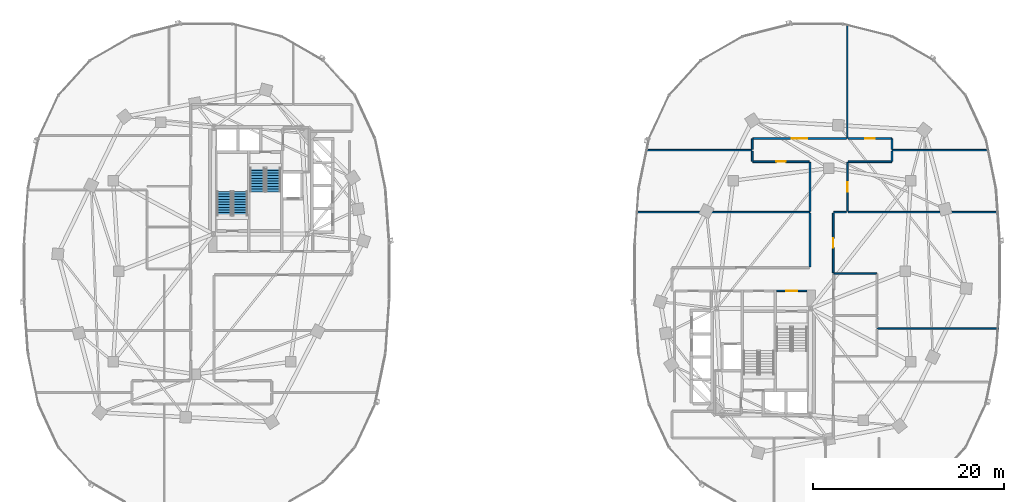
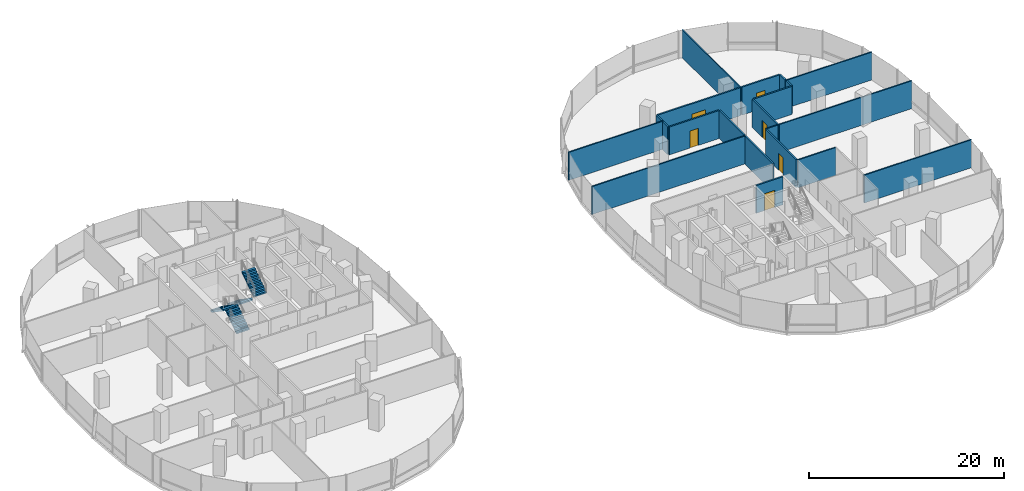
# One storey, part 14 of 22: 21 walls, 6 doors, 4 stair flights, 6 openings, 2 elements without a shape of their own.
"""IFC4 building model written with IfcOpenShell, lengths in metres."""

from ifc_helpers import new_model, si_unit, direction, frame, frame_2d, origin, place, context, subcontext, project, spatial, polyline, rectangle, outline, extrude, material, layer, layer_set, type_object, element, fill, aggregate, save


model = new_model("IFC4")

# Units and contexts
model_context = context("Model", 3, precision=1e-05, world=origin(), true_north=direction((0.0, 1.0)))
body_context = subcontext(model_context, "Body", "Model", "MODEL_VIEW")
ifc_project = project(units=[si_unit("LENGTHUNIT", "METRE"), si_unit("AREAUNIT", "SQUARE_METRE"), si_unit("VOLUMEUNIT", "CUBIC_METRE"), si_unit("PLANEANGLEUNIT", "RADIAN"), si_unit("MASSUNIT", "GRAM", prefix="KILO"), si_unit("THERMODYNAMICTEMPERATUREUNIT", "KELVIN"), si_unit("POWERUNIT", "WATT")], contexts=[model_context])

# Site, building, storey
site_placement = place(None, origin())
site = spatial("IfcSite", under=ifc_project, at=site_placement, CompositionType="ELEMENT")
building_placement = place(site_placement, origin())
building = spatial("IfcBuilding", under=site, at=building_placement, Name="Cundina Bronze Exchange", CompositionType="ELEMENT")
storey_placement = place(building_placement, frame((0.0, 0.0, 39.199951171875)))
storey = spatial("IfcBuildingStorey", under=building, at=storey_placement, Name="L09", CompositionType="ELEMENT", Elevation=39.199951171875)

# Wall, opening, door
ifc_material_1 = material(Name="Gypsum Fireboard Partition EI120")
ifc_layer_1 = layer(ifc_material_1, 0.179931640625, Name="Gypsum Fireboard Partition EI120")
ifc_layer_set_1 = layer_set([ifc_layer_1], Name="Gypsum Fireboard Partition EI120")
wall_type_1 = type_object("IfcWallType", Name="WL-COR-180", PredefinedType="PARTITIONING", material=ifc_layer_set_1)
wall_1_placement = place(storey_placement, frame((27.739990234375, -2.06005859375, 0.0), z_axis=(0.0, 0.0, 1.0), x_axis=(1.0, 0.0, 0.0)))
wall_1 = element("IfcWall", 1, at=wall_1_placement, inside=storey, type_object=wall_type_1, Name="L09 E Stair Vestibule Exit Wall", PredefinedType="PARTITIONING", context=body_context, shape_type="SweptSolid", body=[
    extrude(rectangle(XDim=3.159912109375, YDim=0.179931640625, at=frame_2d((1.580078125, 0.0))), origin(), (0.0, 0.0, 1.0), 3.5),
])
opening_1_placement = place(wall_1_placement, frame((0.97998046875, 0.0, 0.0)))
opening_1 = element("IfcOpeningElement", 2, at=opening_1_placement, cuts=wall_1, Name="Opening DF-01", PredefinedType="OPENING", context=body_context, shape_type="SweptSolid", body=[
    extrude(rectangle(XDim=1.199951171875, YDim=2.14990234375, at=frame_2d((0.60009765625, 1.074951171875))), frame((0.0, 0.099853515625, 0.0), z_axis=(0.0, -1.0, 0.0), x_axis=(1.0, 0.0, 0.0)), (0.0, 0.0, 1.0), 0.199951171875),
])
ifc_material_2 = material(Name="Steel ASTM A36 Painted", Category="steel")
door_type_1 = type_object("IfcDoorType", Name="DR-FFL-1200", OperationType="NOTDEFINED", PredefinedType="DOOR", material=ifc_material_2)
door_1_placement = place(opening_1_placement, origin())
door_1 = element("IfcDoor", 3, at=door_1_placement, inside=storey, type_object=door_type_1, Name="L09 E Stair Vestibule Door", OperationType="SINGLE_SWING_RIGHT", OverallHeight=2.14990234375, OverallWidth=1.199951171875, PredefinedType="DOOR", context=body_context, shape_type="SweptSolid", body=[
    extrude(rectangle(XDim=1.199951171875, YDim=2.14990234375, at=frame_2d((0.60009765625, 1.074951171875))), frame((0.0, 0.02490234375, 0.0), z_axis=(0.0, -1.0, 0.0), x_axis=(1.0, 0.0, 0.0)), (0.0, 0.0, 1.0), 0.050048828125),
])
fill(opening_1, door_1)

# Wall
wall_2_placement = place(storey_placement, frame((31.22998046875, 6.10009765625, 0.0), z_axis=(0.0, 0.0, 1.0), x_axis=(0.0, -1.0, 0.0)))
element("IfcWall", 4, at=wall_2_placement, inside=storey, type_object=wall_type_1, Name="L09 Interior Partition 082", PredefinedType="PARTITIONING", context=body_context, shape_type="SweptSolid", body=[
    extrude(rectangle(XDim=5.650146484375, YDim=0.179931640625, at=frame_2d((2.8251953125, 0.0))), origin(), (0.0, 0.0, 1.0), 3.5),
])

# Wall, opening, door
wall_3_placement = place(storey_placement, frame((33.669921875, -0.15869140625, 0.0), z_axis=(0.0, 0.0, 1.0), x_axis=(0.0, 1.0, 0.0)))
wall_3 = element("IfcWall", 5, at=wall_3_placement, inside=storey, type_object=wall_type_1, Name="L09 Interior Partition 086", PredefinedType="PARTITIONING", context=body_context, shape_type="SweptSolid", body=[
    extrude(rectangle(XDim=6.2587890625, YDim=0.179931640625, at=frame_2d((3.12939453125, 0.0))), origin(), (0.0, 0.0, 1.0), 3.5),
])
opening_2_placement = place(wall_3_placement, frame((2.62939453125, 0.0, 0.0)))
opening_2 = element("IfcOpeningElement", 6, at=opening_2_placement, cuts=wall_3, Name="Opening DO-01", PredefinedType="OPENING", context=body_context, shape_type="SweptSolid", body=[
    extrude(rectangle(XDim=1.0, YDim=2.14990234375, at=frame_2d((0.5, 1.074951171875))), frame((0.0, 0.099853515625, 0.0), z_axis=(0.0, -1.0, 0.0), x_axis=(1.0, 0.0, 0.0)), (0.0, 0.0, 1.0), 0.199951171875),
])
ifc_material_3 = material(Name="Solid Andean Oak Timber Grade A", Category="wood")
door_type_2 = type_object("IfcDoorType", Name="DR-OFF-1000", OperationType="NOTDEFINED", PredefinedType="DOOR", material=ifc_material_3)
door_2_placement = place(opening_2_placement, origin())
door_2 = element("IfcDoor", 7, at=door_2_placement, inside=storey, type_object=door_type_2, Name="L09 Interior Door 086", OperationType="SINGLE_SWING_LEFT", OverallHeight=2.14990234375, OverallWidth=1.0, PredefinedType="DOOR", context=body_context, shape_type="SweptSolid", body=[
    extrude(rectangle(XDim=1.0, YDim=2.14990234375, at=frame_2d((0.5, 1.074951171875))), frame((0.0, 0.02490234375, 0.0), z_axis=(0.0, -1.0, 0.0), x_axis=(1.0, 0.0, 0.0)), (0.0, 0.0, 1.0), 0.050048828125),
])
fill(opening_2, door_2)

wall_4_placement = place(storey_placement, frame((25.221435546875, 11.47998046875, 0.0), z_axis=(0.0, 0.0, 1.0), x_axis=(1.0, 0.0, 0.0)))
wall_4 = element("IfcWall", 8, at=wall_4_placement, inside=storey, type_object=wall_type_1, Name="L09 Interior Partition 087", PredefinedType="PARTITIONING", context=body_context, shape_type="SweptSolid", body=[
    extrude(rectangle(XDim=5.928466796875, YDim=0.179931640625, at=frame_2d((2.96435546875, 0.0))), origin(), (0.0, 0.0, 1.0), 3.5),
])
opening_3_placement = place(wall_4_placement, frame((2.464111328125, 0.0, 0.0)))
opening_3 = element("IfcOpeningElement", 9, at=opening_3_placement, cuts=wall_4, Name="Opening DO-01", PredefinedType="OPENING", context=body_context, shape_type="SweptSolid", body=[
    extrude(rectangle(XDim=1.0, YDim=2.14990234375, at=frame_2d((0.5, 1.074951171875))), frame((0.0, 0.099853515625, 0.0), z_axis=(0.0, -1.0, 0.0), x_axis=(1.0, 0.0, 0.0)), (0.0, 0.0, 1.0), 0.199951171875),
])
door_3_placement = place(opening_3_placement, origin())
door_3 = element("IfcDoor", 10, at=door_3_placement, inside=storey, type_object=door_type_2, Name="L09 Interior Door 087", OperationType="SINGLE_SWING_LEFT", OverallHeight=2.14990234375, OverallWidth=1.0, PredefinedType="DOOR", context=body_context, shape_type="SweptSolid", body=[
    extrude(rectangle(XDim=1.0, YDim=2.14990234375, at=frame_2d((0.5, 1.074951171875))), frame((0.0, 0.02490234375, 0.0), z_axis=(0.0, -1.0, 0.0), x_axis=(1.0, 0.0, 0.0)), (0.0, 0.0, 1.0), 0.050048828125),
])
fill(opening_3, door_3)

# Walls
wall_5_placement = place(storey_placement, frame((31.22998046875, 11.39990234375, 0.0), z_axis=(0.0, 0.0, 1.0), x_axis=(0.0, -1.0, 0.0)))
element("IfcWall", 11, at=wall_5_placement, inside=storey, type_object=wall_type_1, Name="L09 Interior Partition 088", PredefinedType="PARTITIONING", context=body_context, shape_type="SweptSolid", body=[
    extrude(rectangle(XDim=5.119873046875, YDim=0.179931640625, at=frame_2d((2.56005859375, 0.0))), origin(), (0.0, 0.0, 1.0), 3.5),
])
wall_6_placement = place(storey_placement, frame((25.179931640625, 12.60009765625, 0.0), z_axis=(0.0, 0.0, 1.0), x_axis=(0.0, -1.0, 0.0)))
element("IfcWall", 12, at=wall_6_placement, inside=storey, type_object=wall_type_1, Name="L09 Interior Partition 089", PredefinedType="PARTITIONING", context=body_context, shape_type="SweptSolid", body=[
    extrude(rectangle(XDim=1.07861328125, YDim=0.179931640625, at=frame_2d((0.539306640625, 0.0))), origin(), (0.0, 0.0, 1.0), 3.5),
])

# Wall, opening, door
wall_7_placement = place(storey_placement, frame((35.14990234375, 6.280029296875, 0.0), z_axis=(0.0, 0.0, 1.0), x_axis=(0.0, 1.0, 0.0)))
wall_7 = element("IfcWall", 13, at=wall_7_placement, inside=storey, type_object=wall_type_1, Name="L09 Interior Partition 090", PredefinedType="PARTITIONING", context=body_context, shape_type="SweptSolid", body=[
    extrude(rectangle(XDim=5.119873046875, YDim=0.179931640625, at=frame_2d((2.56005859375, 0.0))), origin(), (0.0, 0.0, 1.0), 3.5),
])
opening_4_placement = place(wall_7_placement, frame((2.06005859375, 0.0, 0.0)))
opening_4 = element("IfcOpeningElement", 14, at=opening_4_placement, cuts=wall_7, Name="Opening DO-01", PredefinedType="OPENING", context=body_context, shape_type="SweptSolid", body=[
    extrude(rectangle(XDim=1.0, YDim=2.14990234375, at=frame_2d((0.5, 1.074951171875))), frame((0.0, 0.099853515625, 0.0), z_axis=(0.0, -1.0, 0.0), x_axis=(1.0, 0.0, 0.0)), (0.0, 0.0, 1.0), 0.199951171875),
])
door_4_placement = place(opening_4_placement, origin())
door_4 = element("IfcDoor", 15, at=door_4_placement, inside=storey, type_object=door_type_2, Name="L09 Interior Door 090", OperationType="SINGLE_SWING_LEFT", OverallHeight=2.14990234375, OverallWidth=1.0, PredefinedType="DOOR", context=body_context, shape_type="SweptSolid", body=[
    extrude(rectangle(XDim=1.0, YDim=2.14990234375, at=frame_2d((0.5, 1.074951171875))), frame((0.0, 0.02490234375, 0.0), z_axis=(0.0, -1.0, 0.0), x_axis=(1.0, 0.0, 0.0)), (0.0, 0.0, 1.0), 0.050048828125),
])
fill(opening_4, door_4)

# Walls
wall_8_placement = place(storey_placement, frame((35.22998046875, 11.47998046875, 0.0), z_axis=(0.0, 0.0, 1.0), x_axis=(1.0, 0.0, 0.0)))
element("IfcWall", 16, at=wall_8_placement, inside=storey, type_object=wall_type_1, Name="L09 Interior Partition 091", PredefinedType="PARTITIONING", context=body_context, shape_type="SweptSolid", body=[
    extrude(rectangle(XDim=4.548583984375, YDim=0.179931640625, at=frame_2d((2.2744140625, 0.0))), origin(), (0.0, 0.0, 1.0), 3.5),
])
wall_9_placement = place(storey_placement, frame((39.820068359375, 11.521484375, 0.0), z_axis=(0.0, 0.0, 1.0), x_axis=(0.0, 1.0, 0.0)))
element("IfcWall", 17, at=wall_9_placement, inside=storey, type_object=wall_type_1, Name="L09 Interior Partition 092", PredefinedType="PARTITIONING", context=body_context, shape_type="SweptSolid", body=[
    extrude(rectangle(XDim=1.07861328125, YDim=0.179931640625, at=frame_2d((0.539306640625, 0.0))), origin(), (0.0, 0.0, 1.0), 3.5),
])

# Wall, opening, door
wall_10_placement = place(storey_placement, frame((39.778564453125, 13.919921875, 0.0), z_axis=(0.0, 0.0, 1.0), x_axis=(-1.0, 0.0, 0.0)))
wall_10 = element("IfcWall", 18, at=wall_10_placement, inside=storey, type_object=wall_type_1, Name="L09 Interior Partition 093", PredefinedType="PARTITIONING", context=body_context, shape_type="SweptSolid", body=[
    extrude(rectangle(XDim=4.548583984375, YDim=0.179931640625, at=frame_2d((2.2744140625, 0.0))), origin(), (0.0, 0.0, 1.0), 3.5),
])
opening_5_placement = place(wall_10_placement, frame((1.7744140625, 0.0, 0.0)))
opening_5 = element("IfcOpeningElement", 19, at=opening_5_placement, cuts=wall_10, Name="Opening DO-01", PredefinedType="OPENING", context=body_context, shape_type="SweptSolid", body=[
    extrude(rectangle(XDim=1.0, YDim=2.14990234375, at=frame_2d((0.5, 1.074951171875))), frame((0.0, 0.099853515625, 0.0), z_axis=(0.0, -1.0, 0.0), x_axis=(1.0, 0.0, 0.0)), (0.0, 0.0, 1.0), 0.199951171875),
])
door_5_placement = place(opening_5_placement, origin())
door_5 = element("IfcDoor", 20, at=door_5_placement, inside=storey, type_object=door_type_2, Name="L09 Interior Door 093", OperationType="SINGLE_SWING_LEFT", OverallHeight=2.14990234375, OverallWidth=1.0, PredefinedType="DOOR", context=body_context, shape_type="SweptSolid", body=[
    extrude(rectangle(XDim=1.0, YDim=2.14990234375, at=frame_2d((0.5, 1.074951171875))), frame((0.0, 0.02490234375, 0.0), z_axis=(0.0, -1.0, 0.0), x_axis=(1.0, 0.0, 0.0)), (0.0, 0.0, 1.0), 0.050048828125),
])
fill(opening_5, door_5)

# Wall
wall_11_placement = place(storey_placement, frame((39.820068359375, 12.780029296875, 0.0), z_axis=(0.0, 0.0, 1.0), x_axis=(0.0, 1.0, 0.0)))
element("IfcWall", 21, at=wall_11_placement, inside=storey, type_object=wall_type_1, Name="L09 Interior Partition 094", PredefinedType="PARTITIONING", context=body_context, shape_type="SweptSolid", body=[
    extrude(rectangle(XDim=1.098388671875, YDim=0.179931640625, at=frame_2d((0.54931640625, 0.0))), origin(), (0.0, 0.0, 1.0), 3.5),
])

# Wall, opening, door
wall_12_placement = place(storey_placement, frame((35.050048828125, 13.919921875, 0.0), z_axis=(0.0, 0.0, 1.0), x_axis=(-1.0, 0.0, 0.0)))
wall_12 = element("IfcWall", 22, at=wall_12_placement, inside=storey, type_object=wall_type_1, Name="L09 Interior Partition 095", PredefinedType="PARTITIONING", context=body_context, shape_type="SweptSolid", body=[
    extrude(rectangle(XDim=9.82861328125, YDim=0.179931640625, at=frame_2d((4.914306640625, 0.0))), origin(), (0.0, 0.0, 1.0), 3.5),
])
opening_6_placement = place(wall_12_placement, frame((4.1142578125, 0.0, 0.0)))
opening_6 = element("IfcOpeningElement", 23, at=opening_6_placement, cuts=wall_12, Name="Opening DO-02", PredefinedType="OPENING", context=body_context, shape_type="SweptSolid", body=[
    extrude(rectangle(XDim=1.60009765625, YDim=2.199951171875, at=frame_2d((0.800048828125, 1.10009765625))), frame((0.0, 0.099853515625, 0.0), z_axis=(0.0, -1.0, 0.0), x_axis=(1.0, 0.0, 0.0)), (0.0, 0.0, 1.0), 0.199951171875),
])
door_type_3 = type_object("IfcDoorType", Name="DR-TRD-1600", OperationType="NOTDEFINED", PredefinedType="DOOR", material=ifc_material_3)
door_6_placement = place(opening_6_placement, origin())
door_6 = element("IfcDoor", 24, at=door_6_placement, inside=storey, type_object=door_type_3, Name="L09 Interior Door 095", OperationType="SINGLE_SWING_LEFT", OverallHeight=2.199951171875, OverallWidth=1.60009765625, PredefinedType="DOOR", context=body_context, shape_type="SweptSolid", body=[
    extrude(rectangle(XDim=1.60009765625, YDim=2.199951171875, at=frame_2d((0.800048828125, 1.10009765625))), frame((0.0, 0.02490234375, 0.0), z_axis=(0.0, -1.0, 0.0), x_axis=(1.0, 0.0, 0.0)), (0.0, 0.0, 1.0), 0.050048828125),
])
fill(opening_6, door_6)

# Walls
wall_13_placement = place(storey_placement, frame((25.179931640625, 13.87841796875, 0.0), z_axis=(0.0, 0.0, 1.0), x_axis=(0.0, -1.0, 0.0)))
element("IfcWall", 25, at=wall_13_placement, inside=storey, type_object=wall_type_1, Name="L09 Interior Partition 096", PredefinedType="PARTITIONING", context=body_context, shape_type="SweptSolid", body=[
    extrude(rectangle(XDim=1.098388671875, YDim=0.179931640625, at=frame_2d((0.54931640625, 0.0))), origin(), (0.0, 0.0, 1.0), 3.5),
])
ifc_material_4 = material(Name="Gypsum Acoustic Partition EI60")
ifc_layer_2 = layer(ifc_material_4, 0.125, Name="Gypsum Acoustic Partition EI60")
ifc_layer_set_2 = layer_set([ifc_layer_2], Name="Gypsum Acoustic Partition EI60")
wall_type_2 = type_object("IfcWallType", Name="WL-OFF-125", PredefinedType="PARTITIONING", material=ifc_layer_set_2)
wall_14_placement = place(storey_placement, frame((35.139892578125, 13.949951171875, 0.0), z_axis=(0.0, 0.0, 1.0), x_axis=(0.0, 1.0, 0.0)))
element("IfcWall", 26, at=wall_14_placement, inside=storey, type_object=wall_type_2, Name="L09 Interior Partition 065", PredefinedType="PARTITIONING", context=body_context, shape_type="SweptSolid", body=[
    extrude(rectangle(XDim=11.924560546875, YDim=0.125, at=frame_2d((5.96240234375, 0.0))), origin(), (0.0, 0.0, 1.0), 3.5),
])
ifc_layer_3 = layer(ifc_material_4, 0.14990234375, Name="Gypsum Acoustic Partition EI60")
ifc_layer_set_3 = layer_set([ifc_layer_3], Name="Gypsum Acoustic Partition EI60")
wall_type_3 = type_object("IfcWallType", Name="WL-TEN-150", PredefinedType="PARTITIONING", material=ifc_layer_set_3)
wall_15_placement = place(storey_placement, frame((13.021484375, 6.18994140625, 0.0), z_axis=(0.0, 0.0, 1.0), x_axis=(1.0, 0.0, 0.0)))
element("IfcWall", 27, at=wall_15_placement, inside=storey, type_object=wall_type_3, Name="L09 Interior Partition 066", PredefinedType="PARTITIONING", context=body_context, shape_type="SweptSolid", body=[
    extrude(rectangle(XDim=18.178466796875, YDim=0.14990234375, at=frame_2d((9.08935546875, 0.0))), origin(), (0.0, 0.0, 1.0), 3.5),
])
wall_16_placement = place(storey_placement, frame((33.699951171875, 6.18994140625, 0.0), z_axis=(0.0, 0.0, 1.0), x_axis=(1.0, 0.0, 0.0)))
element("IfcWall", 28, at=wall_16_placement, inside=storey, type_object=wall_type_3, Name="L09 Interior Partition 067", PredefinedType="PARTITIONING", context=body_context, shape_type="SweptSolid", body=[
    extrude(rectangle(XDim=1.35498046875, YDim=0.14990234375, at=frame_2d((0.677490234375, 0.0))), origin(), (0.0, 0.0, 1.0), 3.5),
])
wall_17_placement = place(storey_placement, frame((35.22509765625, 6.18994140625, 0.0), z_axis=(0.0, 0.0, 1.0), x_axis=(1.0, 0.0, 0.0)))
element("IfcWall", 29, at=wall_17_placement, inside=storey, type_object=wall_type_3, Name="L09 Interior Partition 068", PredefinedType="PARTITIONING", context=body_context, shape_type="SweptSolid", body=[
    extrude(rectangle(XDim=15.75341796875, YDim=0.14990234375, at=frame_2d((7.876708984375, 0.0))), origin(), (0.0, 0.0, 1.0), 3.5),
])
wall_18_placement = place(storey_placement, frame((14.02587890625, 12.68994140625, 0.0), z_axis=(0.0, 0.0, 1.0), x_axis=(1.0, 0.0, 0.0)))
element("IfcWall", 30, at=wall_18_placement, inside=storey, type_object=wall_type_3, Name="L09 Interior Partition 069", PredefinedType="PARTITIONING", context=body_context, shape_type="SweptSolid", body=[
    extrude(rectangle(XDim=11.1240234375, YDim=0.14990234375, at=frame_2d((5.56201171875, 0.0))), origin(), (0.0, 0.0, 1.0), 3.5),
])
wall_19_placement = place(storey_placement, frame((39.85009765625, 12.68994140625, 0.0), z_axis=(0.0, 0.0, 1.0), x_axis=(1.0, 0.0, 0.0)))
element("IfcWall", 31, at=wall_19_placement, inside=storey, type_object=wall_type_3, Name="L09 Interior Partition 070", PredefinedType="PARTITIONING", context=body_context, shape_type="SweptSolid", body=[
    extrude(rectangle(XDim=10.1240234375, YDim=0.14990234375, at=frame_2d((5.06201171875, 0.0))), origin(), (0.0, 0.0, 1.0), 3.5),
])
wall_20_placement = place(storey_placement, frame((38.27001953125, -6.02001953125, 0.0), z_axis=(0.0, 0.0, 1.0), x_axis=(1.0, 0.0, 0.0)))
element("IfcWall", 32, at=wall_20_placement, inside=storey, type_object=wall_type_3, Name="L09 Interior Partition 071", PredefinedType="PARTITIONING", context=body_context, shape_type="SweptSolid", body=[
    extrude(rectangle(XDim=12.720458984375, YDim=0.14990234375, at=frame_2d((6.3603515625, 0.0))), origin(), (0.0, 0.0, 1.0), 3.5),
])
ifc_material_5 = material(Name="Moisture-Resistant Masonry Block Grade M15", Category="masonry")
ifc_layer_4 = layer(ifc_material_5, 0.139892578125, Name="Moisture-Resistant Masonry Block Grade M15", Category="masonry")
ifc_layer_set_4 = layer_set([ifc_layer_4], Name="Moisture-Resistant Masonry Block Grade M15")
wall_type_4 = type_object("IfcWallType", Name="WL-WET-140", PredefinedType="PARTITIONING", material=ifc_layer_set_4)
wall_21_placement = place(storey_placement, frame((33.739990234375, -0.25, 0.0), z_axis=(0.0, 0.0, 1.0), x_axis=(1.0, 0.0, 0.0)))
element("IfcWall", 33, at=wall_21_placement, inside=storey, type_object=wall_type_4, Name="L09 Interior Partition 060", PredefinedType="PARTITIONING", context=body_context, shape_type="SweptSolid", body=[
    extrude(rectangle(XDim=4.47998046875, YDim=0.139892578125, at=frame_2d((2.239990234375, 0.0))), origin(), (0.0, 0.0, 1.0), 3.5),
])

# Stair, stair flights
ifc_material_6 = material(Name="Concrete C40/50", Category="concrete")
stair_type = type_object("IfcStairType", Name="STR-TRD-380", PredefinedType="HALF_TURN_STAIR", material=ifc_material_6)
stair_1_placement = place(storey_placement, origin())
stair_1 = element("IfcStair", 34, at=stair_1_placement, inside=storey, type_object=stair_type, Name="L09 Smokeproof Exit Stair W1", PredefinedType="HALF_TURN_STAIR")
stair_flight_type = type_object("IfcStairFlightType", Name="FLG-TRD-190", PredefinedType="STRAIGHT", material=ifc_material_6)
stair_flight_1_placement = place(storey_placement, frame((-28.489990234375, 5.85009765625, 0.0), z_axis=(0.0, 0.0, 1.0), x_axis=(0.0, 1.0, 0.0)))
stair_flight_1 = element("IfcStairFlight", 35, at=stair_flight_1_placement, type_object=stair_flight_type, Name="ST-W1 flight 1", NumberOfRisers=10, NumberOfTreads=9, PredefinedType="STRAIGHT", RiserHeight=0.19, TreadLength=0.28, context=body_context, shape_type="SweptSolid", body=[
    extrude(outline(polyline([(0.0, 0.0), (0.0, 0.18994140625), (0.280029296875, 0.18994140625), (0.280029296875, 0.3798828125), (0.56005859375, 0.3798828125), (0.56005859375, 0.570068359375), (0.840087890625, 0.570068359375), (0.840087890625, 0.760009765625), (1.1201171875, 0.760009765625), (1.1201171875, 0.949951171875), (1.39990234375, 0.949951171875), (1.39990234375, 1.139892578125), (1.679931640625, 1.139892578125), (1.679931640625, 1.330078125), (1.9599609375, 1.330078125), (1.9599609375, 1.52001953125), (2.239990234375, 1.52001953125), (2.239990234375, 1.7099609375), (2.52001953125, 1.7099609375), (2.52001953125, 1.89990234375), (2.52001953125, 1.52880859375), (0.266845703125, 0.0), (0.0, 0.0)])), frame((0.0, 0.75, 0.0), z_axis=(0.0, -1.0, 0.0), x_axis=(1.0, 0.0, 0.0)), (0.0, 0.0, 1.0), 1.5),
])
stair_flight_2_placement = place(storey_placement, frame((-30.14990234375, 8.3701171875, 1.900146484375), z_axis=(0.0, 0.0, 1.0), x_axis=(0.0, -1.0, 0.0)))
stair_flight_2 = element("IfcStairFlight", 36, at=stair_flight_2_placement, type_object=stair_flight_type, Name="ST-W1 flight 2", NumberOfRisers=10, NumberOfTreads=9, PredefinedType="STRAIGHT", RiserHeight=0.19, TreadLength=0.28, context=body_context, shape_type="SweptSolid", body=[
    extrude(outline(polyline([(0.0, 0.0), (0.0, 0.18994140625), (0.280029296875, 0.18994140625), (0.280029296875, 0.3798828125), (0.56005859375, 0.3798828125), (0.56005859375, 0.570068359375), (0.840087890625, 0.570068359375), (0.840087890625, 0.760009765625), (1.1201171875, 0.760009765625), (1.1201171875, 0.949951171875), (1.39990234375, 0.949951171875), (1.39990234375, 1.139892578125), (1.679931640625, 1.139892578125), (1.679931640625, 1.330078125), (1.9599609375, 1.330078125), (1.9599609375, 1.52001953125), (2.239990234375, 1.52001953125), (2.239990234375, 1.7099609375), (2.52001953125, 1.7099609375), (2.52001953125, 1.89990234375), (2.52001953125, 1.52880859375), (0.266845703125, 0.0), (0.0, 0.0)])), frame((0.0, 0.75, 0.0), z_axis=(0.0, -1.0, 0.0), x_axis=(1.0, 0.0, 0.0)), (0.0, 0.0, 1.0), 1.5),
])
aggregate(stair_1, [stair_flight_1, stair_flight_2])

stair_2_placement = place(storey_placement, origin())
stair_2 = element("IfcStair", 37, at=stair_2_placement, inside=storey, type_object=stair_type, Name="L09 Smokeproof Exit Stair W2", PredefinedType="HALF_TURN_STAIR")
stair_flight_3_placement = place(storey_placement, frame((-26.68994140625, 10.85009765625, 0.0), z_axis=(0.0, 0.0, 1.0), x_axis=(0.0, -1.0, 0.0)))
stair_flight_3 = element("IfcStairFlight", 38, at=stair_flight_3_placement, type_object=stair_flight_type, Name="ST-W2 flight 1", NumberOfRisers=10, NumberOfTreads=9, PredefinedType="STRAIGHT", RiserHeight=0.19, TreadLength=0.28, context=body_context, shape_type="SweptSolid", body=[
    extrude(outline(polyline([(0.0, 0.0), (0.0, 0.18994140625), (0.280029296875, 0.18994140625), (0.280029296875, 0.3798828125), (0.56005859375, 0.3798828125), (0.56005859375, 0.570068359375), (0.840087890625, 0.570068359375), (0.840087890625, 0.760009765625), (1.1201171875, 0.760009765625), (1.1201171875, 0.949951171875), (1.39990234375, 0.949951171875), (1.39990234375, 1.139892578125), (1.679931640625, 1.139892578125), (1.679931640625, 1.330078125), (1.9599609375, 1.330078125), (1.9599609375, 1.52001953125), (2.239990234375, 1.52001953125), (2.239990234375, 1.7099609375), (2.52001953125, 1.7099609375), (2.52001953125, 1.89990234375), (2.52001953125, 1.52880859375), (0.266845703125, 0.0), (0.0, 0.0)])), frame((0.0, 0.75, 0.0), z_axis=(0.0, -1.0, 0.0), x_axis=(1.0, 0.0, 0.0)), (0.0, 0.0, 1.0), 1.5),
])
stair_flight_4_placement = place(storey_placement, frame((-25.030029296875, 8.330078125, 1.900146484375), z_axis=(0.0, 0.0, 1.0), x_axis=(0.0, 1.0, 0.0)))
stair_flight_4 = element("IfcStairFlight", 39, at=stair_flight_4_placement, type_object=stair_flight_type, Name="ST-W2 flight 2", NumberOfRisers=10, NumberOfTreads=9, PredefinedType="STRAIGHT", RiserHeight=0.19, TreadLength=0.28, context=body_context, shape_type="SweptSolid", body=[
    extrude(outline(polyline([(0.0, 0.0), (0.0, 0.18994140625), (0.280029296875, 0.18994140625), (0.280029296875, 0.3798828125), (0.56005859375, 0.3798828125), (0.56005859375, 0.570068359375), (0.840087890625, 0.570068359375), (0.840087890625, 0.760009765625), (1.1201171875, 0.760009765625), (1.1201171875, 0.949951171875), (1.39990234375, 0.949951171875), (1.39990234375, 1.139892578125), (1.679931640625, 1.139892578125), (1.679931640625, 1.330078125), (1.9599609375, 1.330078125), (1.9599609375, 1.52001953125), (2.239990234375, 1.52001953125), (2.239990234375, 1.7099609375), (2.52001953125, 1.7099609375), (2.52001953125, 1.89990234375), (2.52001953125, 1.52880859375), (0.266845703125, 0.0), (0.0, 0.0)])), frame((0.0, 0.75, 0.0), z_axis=(0.0, -1.0, 0.0), x_axis=(1.0, 0.0, 0.0)), (0.0, 0.0, 1.0), 1.5),
])
aggregate(stair_2, [stair_flight_3, stair_flight_4])

save(model, "model.ifc")
